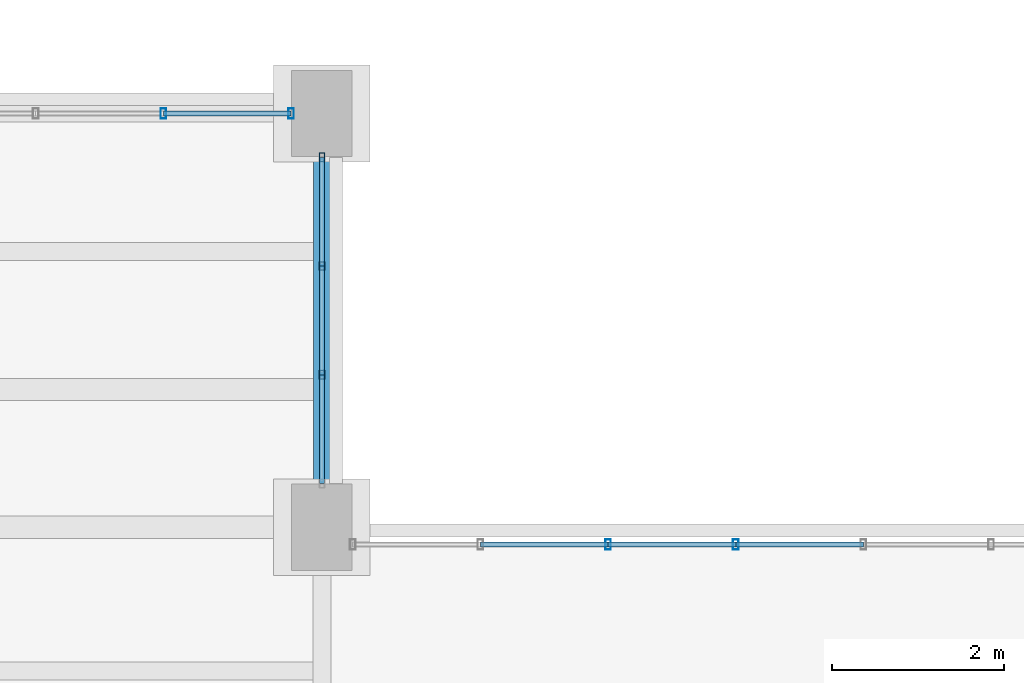
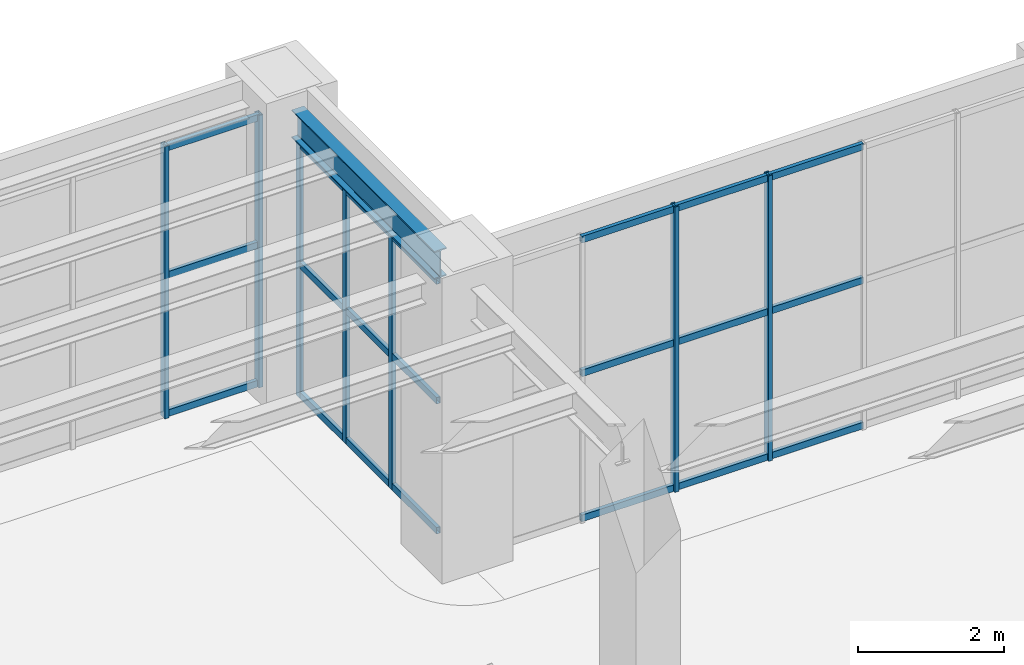
# One storey, part 93 of 174: 28 members, 1 beam, 3 elements without a shape of their own.
"""IFC4 building model written with IfcOpenShell, lengths in metres."""

from ifc_helpers import new_model, si_unit, direction, frame, origin, origin_2d, place, context, subcontext, project, spatial, hollow_rectangle, i_section, extrude, material, material_profile, profile_set, type_object, element, aggregate, save


model = new_model("IFC4")

# Units and contexts
model_context = context("Model", 3, precision=1e-05, world=origin(), true_north=direction((0.0, 1.0)))
body_context = subcontext(model_context, "Body", "Model", "MODEL_VIEW")
ifc_project = project(units=[si_unit("LENGTHUNIT", "METRE"), si_unit("AREAUNIT", "SQUARE_METRE"), si_unit("VOLUMEUNIT", "CUBIC_METRE"), si_unit("PLANEANGLEUNIT", "RADIAN"), si_unit("MASSUNIT", "GRAM", prefix="KILO")], contexts=[model_context])

# Site, building, storey
site_placement = place(None, origin())
site = spatial("IfcSite", under=ifc_project, at=site_placement, CompositionType="ELEMENT")
building_placement = place(site_placement, origin())
building = spatial("IfcBuilding", under=site, at=building_placement, Name="Mavantir Sound Aquarium", CompositionType="ELEMENT")
storey_placement = place(building_placement, frame((0.0, 0.0, 5.39990234375)))
storey = spatial("IfcBuildingStorey", under=building, at=storey_placement, Name="L01", CompositionType="ELEMENT", Elevation=5.39990234375)

# Beam
ifc_material_1 = material(Name="Structural Steel ASTM A992 Gr50", Category="steel")
ifc_material_profile_1 = material_profile(ifc_material_1, i_section(OverallWidth=0.194091796875, OverallDepth=0.468994140625, WebThickness=0.0126953125, FlangeThickness=0.0205078125, FilletRadius=0.01611328125, at=origin_2d()), Name="W460X106")
ifc_profile_set_1 = profile_set([ifc_material_profile_1], Name="Structural Steel ASTM A992 Gr50")
beam_type = type_object("IfcBeamType", Name="BM-W460X106-I", PredefinedType="BEAM", material=ifc_profile_set_1)
beam_placement = place(storey_placement, frame((117.60009765625, 91.25, 4.54150390625), z_axis=(0.0, 1.0, 0.0), x_axis=(-1.0, 0.0, 0.0)))
element("IfcBeam", 1, at=beam_placement, inside=storey, type_object=beam_type, Name="L01 primary girder SB-46 1311", PredefinedType="BEAM", context=body_context, shape_type="SweptSolid", body=[
    extrude(i_section(OverallWidth=0.194091796875, OverallDepth=0.468994140625, WebThickness=0.0126953125, FlangeThickness=0.0205078125, FilletRadius=0.01611328125, at=origin_2d()), origin(), (0.0, 0.0, 1.0), 3.89990234375),
])

# Curtain wall, members
ifc_material_2 = material(Name="Anodised Marine Aluminium and Low-E Glass", Category="aluminium")
curtain_wall_type_1 = type_object("IfcCurtainWallType", Name="CW-T15", PredefinedType="USERDEFINED", material=ifc_material_2)
curtain_wall_1_placement = place(storey_placement, origin())
curtain_wall_1 = element("IfcCurtainWall", 2, at=curtain_wall_1_placement, inside=storey, type_object=curtain_wall_type_1, Name="L01 unitised curtain wall CW-15 87", ObjectType="UNITISED GLAZING", PredefinedType="USERDEFINED")
ifc_material_3 = material(Name="Anodised Marine Aluminium 6063-T6", Category="aluminium")
ifc_material_profile_2 = material_profile(ifc_material_3, hollow_rectangle(XDim=0.06005859375, YDim=0.10009765625, WallThickness=0.00390625, at=origin_2d()), Name="ALU-MULLION-100X60")
ifc_profile_set_2 = profile_set([ifc_material_profile_2], Name="Anodised Marine Aluminium 6063-T6")
member_type_1 = type_object("IfcMemberType", Name="CW-MUL-100", PredefinedType="MULLION", material=ifc_profile_set_2)
member_1_placement = place(storey_placement, frame((117.60009765625, 92.5693359375, 0.0), z_axis=(0.0, 0.0, 1.0), x_axis=(1.0, 0.0, 0.0)))
member_1 = element("IfcMember", 3, at=member_1_placement, type_object=member_type_1, Name="CW-L01-087 vertical mullion 2", PredefinedType="MULLION", context=body_context, shape_type="SweptSolid", body=[
    extrude(hollow_rectangle(XDim=0.06005859375, YDim=0.10009765625, WallThickness=0.00390625, at=origin_2d()), origin(), (0.0, 0.0, 1.0), 4.277099609375),
])
member_2_placement = place(storey_placement, frame((117.60009765625, 93.830810546875, 0.0), z_axis=(0.0, 0.0, 1.0), x_axis=(1.0, 0.0, 0.0)))
member_2 = element("IfcMember", 4, at=member_2_placement, type_object=member_type_1, Name="CW-L01-087 vertical mullion 3", PredefinedType="MULLION", context=body_context, shape_type="SweptSolid", body=[
    extrude(hollow_rectangle(XDim=0.06005859375, YDim=0.10009765625, WallThickness=0.00390625, at=origin_2d()), origin(), (0.0, 0.0, 1.0), 4.277099609375),
])
member_3_placement = place(storey_placement, frame((117.60009765625, 95.092041015625, 0.0), z_axis=(0.0, 0.0, 1.0), x_axis=(1.0, 0.0, 0.0)))
member_3 = element("IfcMember", 5, at=member_3_placement, type_object=member_type_1, Name="CW-L01-087 vertical mullion 4", PredefinedType="MULLION", context=body_context, shape_type="SweptSolid", body=[
    extrude(hollow_rectangle(XDim=0.06005859375, YDim=0.10009765625, WallThickness=0.00390625, at=origin_2d()), origin(), (0.0, 0.0, 1.0), 4.277099609375),
])

curtain_wall_type_2 = type_object("IfcCurtainWallType", Name="CW-T14", PredefinedType="USERDEFINED", material=ifc_material_2)
curtain_wall_2_placement = place(storey_placement, origin())
curtain_wall_2 = element("IfcCurtainWall", 6, at=curtain_wall_2_placement, inside=storey, type_object=curtain_wall_type_2, Name="L01 unitised curtain wall CW-14 86", ObjectType="UNITISED GLAZING", PredefinedType="USERDEFINED")
ifc_material_profile_3 = material_profile(ifc_material_3, hollow_rectangle(XDim=0.06494140625, YDim=0.1201171875, WallThickness=0.00390625, at=origin_2d()), Name="ALU-MULLION-120X65")
ifc_profile_set_3 = profile_set([ifc_material_profile_3], Name="Anodised Marine Aluminium 6063-T6")
member_type_2 = type_object("IfcMemberType", Name="CW-MUL-120", PredefinedType="MULLION", material=ifc_profile_set_3)
member_4_placement = place(storey_placement, frame((122.39990234375, 90.60009765625, 0.0), z_axis=(0.0, 0.0, 1.0), x_axis=(1.0, 0.0, 0.0)))
member_4 = element("IfcMember", 7, at=member_4_placement, type_object=member_type_2, Name="CW-L01-086 vertical mullion 4", PredefinedType="MULLION", context=body_context, shape_type="SweptSolid", body=[
    extrude(hollow_rectangle(XDim=0.06494140625, YDim=0.1201171875, WallThickness=0.00390625, at=origin_2d()), origin(), (0.0, 0.0, 1.0), 4.760009765625),
])
member_5_placement = place(storey_placement, frame((120.919189453125, 90.60009765625, 0.0), z_axis=(0.0, 0.0, 1.0), x_axis=(1.0, 0.0, 0.0)))
member_5 = element("IfcMember", 8, at=member_5_placement, type_object=member_type_2, Name="CW-L01-086 vertical mullion 5", PredefinedType="MULLION", context=body_context, shape_type="SweptSolid", body=[
    extrude(hollow_rectangle(XDim=0.06494140625, YDim=0.1201171875, WallThickness=0.00390625, at=origin_2d()), origin(), (0.0, 0.0, 1.0), 4.760009765625),
])

curtain_wall_type_3 = type_object("IfcCurtainWallType", Name="CW-T16", PredefinedType="USERDEFINED", material=ifc_material_2)
curtain_wall_3_placement = place(storey_placement, origin())
curtain_wall_3 = element("IfcCurtainWall", 9, at=curtain_wall_3_placement, inside=storey, type_object=curtain_wall_type_3, Name="L01 unitised curtain wall CW-16 88", ObjectType="UNITISED GLAZING", PredefinedType="USERDEFINED")
member_6_placement = place(storey_placement, frame((117.241943359375, 95.60009765625, 0.0), z_axis=(0.0, 0.0, 1.0), x_axis=(1.0, 0.0, 0.0)))
member_6 = element("IfcMember", 10, at=member_6_placement, type_object=member_type_2, Name="CW-L01-088 vertical mullion 1", PredefinedType="MULLION", context=body_context, shape_type="SweptSolid", body=[
    extrude(hollow_rectangle(XDim=0.06494140625, YDim=0.1201171875, WallThickness=0.00390625, at=origin_2d()), origin(), (0.0, 0.0, 1.0), 4.543212890625),
])
member_7_placement = place(storey_placement, frame((115.76123046875, 95.60009765625, 0.0), z_axis=(0.0, 0.0, 1.0), x_axis=(1.0, 0.0, 0.0)))
member_7 = element("IfcMember", 11, at=member_7_placement, type_object=member_type_2, Name="CW-L01-088 vertical mullion 2", PredefinedType="MULLION", context=body_context, shape_type="SweptSolid", body=[
    extrude(hollow_rectangle(XDim=0.06494140625, YDim=0.1201171875, WallThickness=0.00390625, at=origin_2d()), origin(), (0.0, 0.0, 1.0), 4.543212890625),
])

# Member
ifc_material_profile_4 = material_profile(ifc_material_3, hollow_rectangle(XDim=0.06005859375, YDim=0.110107421875, WallThickness=0.00390625, at=origin_2d()), Name="ALU-TRANSOM-110X60")
ifc_profile_set_4 = profile_set([ifc_material_profile_4], Name="Anodised Marine Aluminium 6063-T6")
member_type_3 = type_object("IfcMemberType", Name="CW-TRN-110", PredefinedType="USERDEFINED", material=ifc_profile_set_4)
member_8_placement = place(storey_placement, frame((123.880615234375, 90.60009765625, 0.05517578125), z_axis=(-1.0, 0.0, 0.0), x_axis=(0.0, -1.0, 0.0)))
member_8 = element("IfcMember", 12, at=member_8_placement, type_object=member_type_3, Name="CW-L01-086 transom 3.1", ObjectType="TRANSOM", PredefinedType="USERDEFINED", context=body_context, shape_type="SweptSolid", body=[
    extrude(hollow_rectangle(XDim=0.06005859375, YDim=0.110107421875, WallThickness=0.00390625, at=origin_2d()), origin(), (0.0, 0.0, 1.0), 1.480712890625),
])

member_9_placement = place(storey_placement, frame((123.880615234375, 90.60009765625, 2.475341796875), z_axis=(-1.0, 0.0, 0.0), x_axis=(0.0, -1.0, 0.0)))
member_9 = element("IfcMember", 13, at=member_9_placement, type_object=member_type_3, Name="CW-L01-086 transom 3.2", ObjectType="TRANSOM", PredefinedType="USERDEFINED", context=body_context, shape_type="SweptSolid", body=[
    extrude(hollow_rectangle(XDim=0.06005859375, YDim=0.110107421875, WallThickness=0.00390625, at=origin_2d()), origin(), (0.0, 0.0, 1.0), 1.480712890625),
])

member_10_placement = place(storey_placement, frame((123.880615234375, 90.60009765625, 4.705078125), z_axis=(-1.0, 0.0, 0.0), x_axis=(0.0, -1.0, 0.0)))
member_10 = element("IfcMember", 14, at=member_10_placement, type_object=member_type_3, Name="CW-L01-086 transom 3.3", ObjectType="TRANSOM", PredefinedType="USERDEFINED", context=body_context, shape_type="SweptSolid", body=[
    extrude(hollow_rectangle(XDim=0.06005859375, YDim=0.110107421875, WallThickness=0.00390625, at=origin_2d()), origin(), (0.0, 0.0, 1.0), 1.480712890625),
])

member_11_placement = place(storey_placement, frame((122.39990234375, 90.60009765625, 0.05517578125), z_axis=(-1.0, 0.0, 0.0), x_axis=(0.0, -1.0, 0.0)))
member_11 = element("IfcMember", 15, at=member_11_placement, type_object=member_type_3, Name="CW-L01-086 transom 4.1", ObjectType="TRANSOM", PredefinedType="USERDEFINED", context=body_context, shape_type="SweptSolid", body=[
    extrude(hollow_rectangle(XDim=0.06005859375, YDim=0.110107421875, WallThickness=0.00390625, at=origin_2d()), origin(), (0.0, 0.0, 1.0), 1.480712890625),
])

member_12_placement = place(storey_placement, frame((122.39990234375, 90.60009765625, 2.475341796875), z_axis=(-1.0, 0.0, 0.0), x_axis=(0.0, -1.0, 0.0)))
member_12 = element("IfcMember", 16, at=member_12_placement, type_object=member_type_3, Name="CW-L01-086 transom 4.2", ObjectType="TRANSOM", PredefinedType="USERDEFINED", context=body_context, shape_type="SweptSolid", body=[
    extrude(hollow_rectangle(XDim=0.06005859375, YDim=0.110107421875, WallThickness=0.00390625, at=origin_2d()), origin(), (0.0, 0.0, 1.0), 1.480712890625),
])

member_13_placement = place(storey_placement, frame((122.39990234375, 90.60009765625, 4.705078125), z_axis=(-1.0, 0.0, 0.0), x_axis=(0.0, -1.0, 0.0)))
member_13 = element("IfcMember", 17, at=member_13_placement, type_object=member_type_3, Name="CW-L01-086 transom 4.3", ObjectType="TRANSOM", PredefinedType="USERDEFINED", context=body_context, shape_type="SweptSolid", body=[
    extrude(hollow_rectangle(XDim=0.06005859375, YDim=0.110107421875, WallThickness=0.00390625, at=origin_2d()), origin(), (0.0, 0.0, 1.0), 1.480712890625),
])

member_14_placement = place(storey_placement, frame((120.919189453125, 90.60009765625, 0.05517578125), z_axis=(-1.0, 0.0, 0.0), x_axis=(0.0, -1.0, 0.0)))
member_14 = element("IfcMember", 18, at=member_14_placement, type_object=member_type_3, Name="CW-L01-086 transom 5.1", ObjectType="TRANSOM", PredefinedType="USERDEFINED", context=body_context, shape_type="SweptSolid", body=[
    extrude(hollow_rectangle(XDim=0.06005859375, YDim=0.110107421875, WallThickness=0.00390625, at=origin_2d()), origin(), (0.0, 0.0, 1.0), 1.48046875),
])

member_15_placement = place(storey_placement, frame((120.919189453125, 90.60009765625, 2.475341796875), z_axis=(-1.0, 0.0, 0.0), x_axis=(0.0, -1.0, 0.0)))
member_15 = element("IfcMember", 19, at=member_15_placement, type_object=member_type_3, Name="CW-L01-086 transom 5.2", ObjectType="TRANSOM", PredefinedType="USERDEFINED", context=body_context, shape_type="SweptSolid", body=[
    extrude(hollow_rectangle(XDim=0.06005859375, YDim=0.110107421875, WallThickness=0.00390625, at=origin_2d()), origin(), (0.0, 0.0, 1.0), 1.48046875),
])

member_16_placement = place(storey_placement, frame((120.919189453125, 90.60009765625, 4.705078125), z_axis=(-1.0, 0.0, 0.0), x_axis=(0.0, -1.0, 0.0)))
member_16 = element("IfcMember", 20, at=member_16_placement, type_object=member_type_3, Name="CW-L01-086 transom 5.3", ObjectType="TRANSOM", PredefinedType="USERDEFINED", context=body_context, shape_type="SweptSolid", body=[
    extrude(hollow_rectangle(XDim=0.06005859375, YDim=0.110107421875, WallThickness=0.00390625, at=origin_2d()), origin(), (0.0, 0.0, 1.0), 1.48046875),
])

aggregate(curtain_wall_2, [member_4, member_5, member_8, member_9, member_10, member_11, member_12, member_13, member_14, member_15, member_16])

member_17_placement = place(storey_placement, frame((117.60009765625, 91.30810546875, 0.05517578125), z_axis=(0.0, 1.0, 0.0), x_axis=(-1.0, 0.0, 0.0)))
member_17 = element("IfcMember", 21, at=member_17_placement, type_object=member_type_3, Name="CW-L01-087 transom 1.1", ObjectType="TRANSOM", PredefinedType="USERDEFINED", context=body_context, shape_type="SweptSolid", body=[
    extrude(hollow_rectangle(XDim=0.06005859375, YDim=0.110107421875, WallThickness=0.00390625, at=origin_2d()), origin(), (0.0, 0.0, 1.0), 1.26123046875),
])

member_18_placement = place(storey_placement, frame((117.60009765625, 91.30810546875, 2.22412109375), z_axis=(0.0, 1.0, 0.0), x_axis=(-1.0, 0.0, 0.0)))
member_18 = element("IfcMember", 22, at=member_18_placement, type_object=member_type_3, Name="CW-L01-087 transom 1.2", ObjectType="TRANSOM", PredefinedType="USERDEFINED", context=body_context, shape_type="SweptSolid", body=[
    extrude(hollow_rectangle(XDim=0.06005859375, YDim=0.110107421875, WallThickness=0.00390625, at=origin_2d()), origin(), (0.0, 0.0, 1.0), 1.26123046875),
])

member_19_placement = place(storey_placement, frame((117.60009765625, 91.30810546875, 4.22216796875), z_axis=(0.0, 1.0, 0.0), x_axis=(-1.0, 0.0, 0.0)))
member_19 = element("IfcMember", 23, at=member_19_placement, type_object=member_type_3, Name="CW-L01-087 transom 1.3", ObjectType="TRANSOM", PredefinedType="USERDEFINED", context=body_context, shape_type="SweptSolid", body=[
    extrude(hollow_rectangle(XDim=0.06005859375, YDim=0.110107421875, WallThickness=0.00390625, at=origin_2d()), origin(), (0.0, 0.0, 1.0), 1.26123046875),
])

member_20_placement = place(storey_placement, frame((117.60009765625, 92.5693359375, 0.05517578125), z_axis=(0.0, 1.0, 0.0), x_axis=(-1.0, 0.0, 0.0)))
member_20 = element("IfcMember", 24, at=member_20_placement, type_object=member_type_3, Name="CW-L01-087 transom 2.1", ObjectType="TRANSOM", PredefinedType="USERDEFINED", context=body_context, shape_type="SweptSolid", body=[
    extrude(hollow_rectangle(XDim=0.06005859375, YDim=0.110107421875, WallThickness=0.00390625, at=origin_2d()), origin(), (0.0, 0.0, 1.0), 1.261474609375),
])

member_21_placement = place(storey_placement, frame((117.60009765625, 92.5693359375, 2.22412109375), z_axis=(0.0, 1.0, 0.0), x_axis=(-1.0, 0.0, 0.0)))
member_21 = element("IfcMember", 25, at=member_21_placement, type_object=member_type_3, Name="CW-L01-087 transom 2.2", ObjectType="TRANSOM", PredefinedType="USERDEFINED", context=body_context, shape_type="SweptSolid", body=[
    extrude(hollow_rectangle(XDim=0.06005859375, YDim=0.110107421875, WallThickness=0.00390625, at=origin_2d()), origin(), (0.0, 0.0, 1.0), 1.261474609375),
])

member_22_placement = place(storey_placement, frame((117.60009765625, 92.5693359375, 4.22216796875), z_axis=(0.0, 1.0, 0.0), x_axis=(-1.0, 0.0, 0.0)))
member_22 = element("IfcMember", 26, at=member_22_placement, type_object=member_type_3, Name="CW-L01-087 transom 2.3", ObjectType="TRANSOM", PredefinedType="USERDEFINED", context=body_context, shape_type="SweptSolid", body=[
    extrude(hollow_rectangle(XDim=0.06005859375, YDim=0.110107421875, WallThickness=0.00390625, at=origin_2d()), origin(), (0.0, 0.0, 1.0), 1.261474609375),
])

member_23_placement = place(storey_placement, frame((117.60009765625, 93.830810546875, 0.05517578125), z_axis=(0.0, 1.0, 0.0), x_axis=(-1.0, 0.0, 0.0)))
member_23 = element("IfcMember", 27, at=member_23_placement, type_object=member_type_3, Name="CW-L01-087 transom 3.1", ObjectType="TRANSOM", PredefinedType="USERDEFINED", context=body_context, shape_type="SweptSolid", body=[
    extrude(hollow_rectangle(XDim=0.06005859375, YDim=0.110107421875, WallThickness=0.00390625, at=origin_2d()), origin(), (0.0, 0.0, 1.0), 1.26123046875),
])

member_24_placement = place(storey_placement, frame((117.60009765625, 93.830810546875, 2.22412109375), z_axis=(0.0, 1.0, 0.0), x_axis=(-1.0, 0.0, 0.0)))
member_24 = element("IfcMember", 28, at=member_24_placement, type_object=member_type_3, Name="CW-L01-087 transom 3.2", ObjectType="TRANSOM", PredefinedType="USERDEFINED", context=body_context, shape_type="SweptSolid", body=[
    extrude(hollow_rectangle(XDim=0.06005859375, YDim=0.110107421875, WallThickness=0.00390625, at=origin_2d()), origin(), (0.0, 0.0, 1.0), 1.26123046875),
])

member_25_placement = place(storey_placement, frame((117.60009765625, 93.830810546875, 4.22216796875), z_axis=(0.0, 1.0, 0.0), x_axis=(-1.0, 0.0, 0.0)))
member_25 = element("IfcMember", 29, at=member_25_placement, type_object=member_type_3, Name="CW-L01-087 transom 3.3", ObjectType="TRANSOM", PredefinedType="USERDEFINED", context=body_context, shape_type="SweptSolid", body=[
    extrude(hollow_rectangle(XDim=0.06005859375, YDim=0.110107421875, WallThickness=0.00390625, at=origin_2d()), origin(), (0.0, 0.0, 1.0), 1.26123046875),
])

aggregate(curtain_wall_1, [member_1, member_2, member_3, member_17, member_18, member_19, member_20, member_21, member_22, member_23, member_24, member_25])

member_26_placement = place(storey_placement, frame((117.241943359375, 95.60009765625, 0.05517578125), z_axis=(-1.0, 0.0, 0.0), x_axis=(0.0, -1.0, 0.0)))
member_26 = element("IfcMember", 30, at=member_26_placement, type_object=member_type_3, Name="CW-L01-088 transom 1.1", ObjectType="TRANSOM", PredefinedType="USERDEFINED", context=body_context, shape_type="SweptSolid", body=[
    extrude(hollow_rectangle(XDim=0.06005859375, YDim=0.110107421875, WallThickness=0.00390625, at=origin_2d()), origin(), (0.0, 0.0, 1.0), 1.480712890625),
])

member_27_placement = place(storey_placement, frame((117.241943359375, 95.60009765625, 2.362548828125), z_axis=(-1.0, 0.0, 0.0), x_axis=(0.0, -1.0, 0.0)))
member_27 = element("IfcMember", 31, at=member_27_placement, type_object=member_type_3, Name="CW-L01-088 transom 1.2", ObjectType="TRANSOM", PredefinedType="USERDEFINED", context=body_context, shape_type="SweptSolid", body=[
    extrude(hollow_rectangle(XDim=0.06005859375, YDim=0.110107421875, WallThickness=0.00390625, at=origin_2d()), origin(), (0.0, 0.0, 1.0), 1.480712890625),
])

member_28_placement = place(storey_placement, frame((117.241943359375, 95.60009765625, 4.488037109375), z_axis=(-1.0, 0.0, 0.0), x_axis=(0.0, -1.0, 0.0)))
member_28 = element("IfcMember", 32, at=member_28_placement, type_object=member_type_3, Name="CW-L01-088 transom 1.3", ObjectType="TRANSOM", PredefinedType="USERDEFINED", context=body_context, shape_type="SweptSolid", body=[
    extrude(hollow_rectangle(XDim=0.06005859375, YDim=0.110107421875, WallThickness=0.00390625, at=origin_2d()), origin(), (0.0, 0.0, 1.0), 1.480712890625),
])

aggregate(curtain_wall_3, [member_6, member_7, member_26, member_27, member_28])

save(model, "model.ifc")
